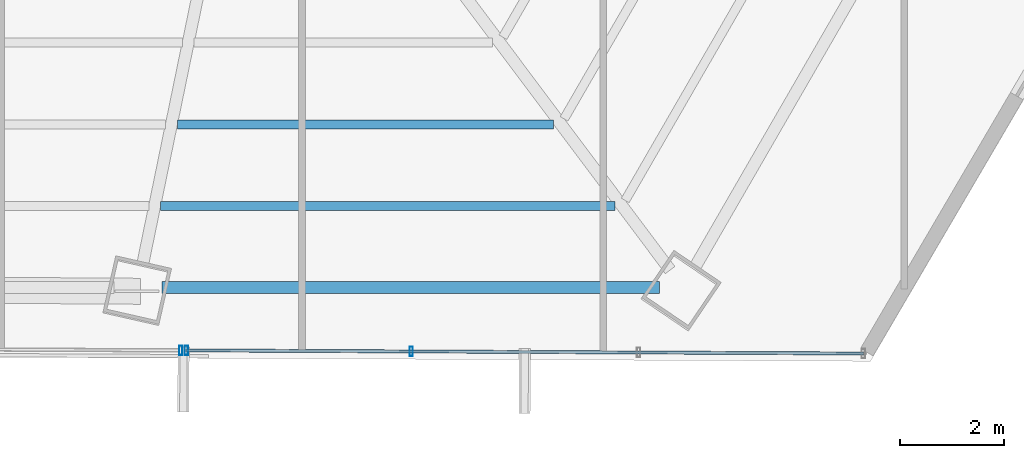
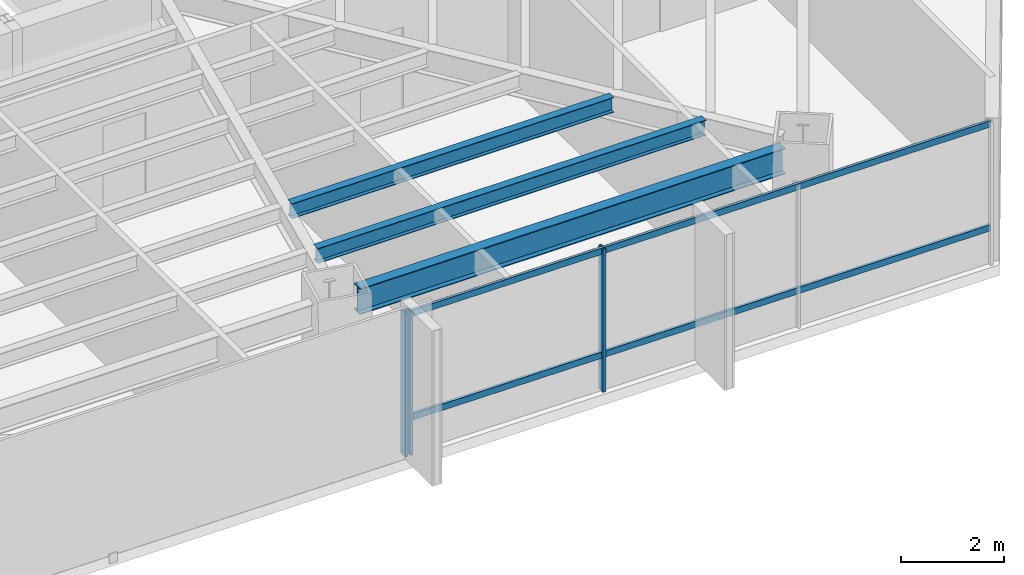
# One storey, part 15 of 37: 5 members, 3 beams, 2 elements without a shape of their own.
"""IFC4 building model written with IfcOpenShell, lengths in metres."""

from ifc_helpers import new_model, si_unit, direction, frame, origin, origin_2d, place, context, subcontext, project, spatial, hollow_rectangle, i_section, extrude, source, transform, mapped, material, material_profile, profile_set, type_object, type_shapes, element, aggregate, save


model = new_model("IFC4")

# Units and contexts
model_context = context("Model", 3, precision=1e-05, world=origin(), true_north=direction((0.0, 1.0)))
body_context = subcontext(model_context, "Body", "Model", "MODEL_VIEW")
ifc_project = project(units=[si_unit("LENGTHUNIT", "METRE"), si_unit("AREAUNIT", "SQUARE_METRE"), si_unit("VOLUMEUNIT", "CUBIC_METRE"), si_unit("PLANEANGLEUNIT", "RADIAN"), si_unit("MASSUNIT", "GRAM", prefix="KILO")], contexts=[model_context])

# Site, building, storey
site_placement = place(None, origin())
site = spatial("IfcSite", under=ifc_project, at=site_placement, CompositionType="ELEMENT")
building_placement = place(site_placement, origin())
building = spatial("IfcBuilding", under=site, at=building_placement, Name="Caelisora Broadcast Tower", CompositionType="ELEMENT")
storey_placement = place(building_placement, frame((0.0, 0.0, 105.39990234375)))
storey = spatial("IfcBuildingStorey", under=building, at=storey_placement, Name="L27", CompositionType="ELEMENT", Elevation=105.39990234375)

# Beams
ifc_material_1 = material(Name="Steel Grade 350 (AS/NZS 3679.1)", Category="steel")
ifc_material_profile_1 = material_profile(ifc_material_1, i_section(OverallWidth=0.22900390625, OverallDepth=0.611572265625, WebThickness=0.011962890625, FlangeThickness=0.01953125, at=origin_2d()), Name="Steel Grade 350 (AS/NZS 3679.1)")
ifc_profile_set_1 = profile_set([ifc_material_profile_1], Name="Steel Grade 350 (AS/NZS 3679.1)")
beam_type_1 = type_object("IfcBeamType", Name="PG03", PredefinedType="BEAM", material=ifc_profile_set_1)
shared_shape_1 = source(origin(), body_context, "Body", "SweptSolid", [
    extrude(i_section(OverallWidth=0.22900390625, OverallDepth=0.611572265625, WebThickness=0.011962890625, FlangeThickness=0.01953125, at=origin_2d()), origin(), (0.0, 0.0, 1.0), 9.566162109375),
])
type_shapes(beam_type_1, [shared_shape_1])
beam_1_placement = place(storey_placement, frame((43.703125, 6.413330078125, 3.09423828125), z_axis=(1.0, 0.0, 0.0), x_axis=(0.0, 1.0, 0.0)))
element("IfcBeam", 1, at=beam_1_placement, inside=storey, type_object=beam_type_1, Name="L27 beam PG03", PredefinedType="BEAM", context=body_context, shape_type="MappedRepresentation", body=[
    mapped(shared_shape_1, transform((0.0, 0.0, 0.0), scale=1.0)),
])
ifc_material_profile_2 = material_profile(ifc_material_1, i_section(OverallWidth=0.172119140625, OverallDepth=0.358642578125, WebThickness=0.008056640625, FlangeThickness=0.012939453125, at=origin_2d()), Name="Steel Grade 350 (AS/NZS 3679.1)")
ifc_profile_set_2 = profile_set([ifc_material_profile_2], Name="Steel Grade 350 (AS/NZS 3679.1)")
beam_type_2 = type_object("IfcBeamType", Name="SB02", PredefinedType="JOIST", material=ifc_profile_set_2)
shared_shape_2 = source(origin(), body_context, "Body", "SweptSolid", [
    extrude(i_section(OverallWidth=0.172119140625, OverallDepth=0.358642578125, WebThickness=0.008056640625, FlangeThickness=0.012939453125, at=origin_2d()), origin(), (0.0, 0.0, 1.0), 7.237548828125),
])
beam_2_placement = place(storey_placement, frame((44.001220703125, 9.552490234375, 3.220703125), z_axis=(1.0, 0.0, 0.0), x_axis=(0.0, 1.0, 0.0)))
element("IfcBeam", 2, at=beam_2_placement, inside=storey, type_object=beam_type_2, Name="L27 beam SB02", PredefinedType="JOIST", context=body_context, shape_type="MappedRepresentation", body=[
    mapped(shared_shape_2, transform((0.0, 0.0, 0.0), scale=1.0)),
])
shared_shape_3 = source(origin(), body_context, "Body", "SweptSolid", [
    extrude(i_section(OverallWidth=0.172119140625, OverallDepth=0.358642578125, WebThickness=0.008056640625, FlangeThickness=0.012939453125, at=origin_2d()), origin(), (0.0, 0.0, 1.0), 8.7353515625),
])
type_shapes(beam_type_2, [shared_shape_2, shared_shape_3])
beam_3_placement = place(storey_placement, frame((43.678955078125, 7.98291015625, 3.220703125), z_axis=(1.0, 0.0, 0.0), x_axis=(0.0, 1.0, 0.0)))
element("IfcBeam", 3, at=beam_3_placement, inside=storey, type_object=beam_type_2, Name="L27 beam SB02", PredefinedType="JOIST", context=body_context, shape_type="MappedRepresentation", body=[
    mapped(shared_shape_3, transform((0.0, 0.0, 0.0), scale=1.0)),
])

# Curtain wall, members
ifc_material_2 = material(Name="Unitised Aluminium and Low-E Glass Curtain Wall", Category="glass")
curtain_wall_type_1 = type_object("IfcCurtainWallType", Name="CW-Z2", PredefinedType="NOTDEFINED", material=ifc_material_2)
curtain_wall_1_placement = place(storey_placement, origin())
curtain_wall_1 = element("IfcCurtainWall", 4, at=curtain_wall_1_placement, inside=storey, type_object=curtain_wall_type_1, Name="L27 curtain wall CW-Z2", PredefinedType="NOTDEFINED")
ifc_material_3 = material(Name="Aluminium 6063-T6 Anodised Terracotta Bronze", Category="aluminium")
ifc_material_profile_3 = material_profile(ifc_material_3, hollow_rectangle(XDim=0.06494140625, YDim=0.179931640625, WallThickness=0.00341796875, at=origin_2d()), Name="Aluminium 6063-T6 Anodised Terracotta Bronze")
ifc_profile_set_3 = profile_set([ifc_material_profile_3], Name="Aluminium 6063-T6 Anodised Terracotta Bronze")
member_type_1 = type_object("IfcMemberType", Name="CWM-02", PredefinedType="MULLION", material=ifc_profile_set_3)
shared_shape_4 = source(origin(), body_context, "Body", "SweptSolid", [
    extrude(hollow_rectangle(XDim=0.06494140625, YDim=0.179931640625, WallThickness=0.00341796875, at=origin_2d()), origin(), (0.0, 0.0, 1.0), 3.400146484375),
])
type_shapes(member_type_1, [shared_shape_4])
member_1_placement = place(storey_placement, frame((48.499267578125, 5.18408203125, 0.0), z_axis=(0.0, 0.0, 1.0), x_axis=(1.0, 0.0, 0.0)))
member_1 = element("IfcMember", 5, at=member_1_placement, type_object=member_type_1, Name="L27-CW-B05 mullion #2", PredefinedType="MULLION", context=body_context, shape_type="MappedRepresentation", body=[
    mapped(shared_shape_4, transform((0.0, 0.0, 0.0), scale=1.0)),
])
member_2_placement = place(storey_placement, frame((44.176513671875, 5.2041015625, 0.0), z_axis=(0.0, 0.0, 1.0), x_axis=(1.0, 0.0, 0.0)))
member_2 = element("IfcMember", 6, at=member_2_placement, type_object=member_type_1, Name="L27-CW-B05 mullion #3", PredefinedType="MULLION", context=body_context, shape_type="MappedRepresentation", body=[
    mapped(shared_shape_4, transform((0.0, 0.0, 0.0), scale=1.0)),
])

# Curtain wall, member
ifc_material_4 = material(Name="Unitised Aluminium Insulated Shadow-Box Spandrel Curtain Wall", Category="aluminium")
curtain_wall_type_2 = type_object("IfcCurtainWallType", Name="CW-SP1", PredefinedType="NOTDEFINED", material=ifc_material_4)
curtain_wall_2_placement = place(storey_placement, origin())
curtain_wall_2 = element("IfcCurtainWall", 7, at=curtain_wall_2_placement, inside=storey, type_object=curtain_wall_type_2, Name="L27 curtain wall CW-SP1", PredefinedType="NOTDEFINED")
member_3_placement = place(storey_placement, frame((44.06640625, 5.20458984375, 0.0), z_axis=(0.0, 0.0, 1.0), x_axis=(1.0, 0.0, 0.0)))
member_3 = element("IfcMember", 8, at=member_3_placement, type_object=member_type_1, Name="L27-CW-B06 mullion #0", PredefinedType="MULLION", context=body_context, shape_type="MappedRepresentation", body=[
    mapped(shared_shape_4, transform((0.0, 0.0, 0.0), scale=1.0)),
])
aggregate(curtain_wall_2, [member_3])

# Member
ifc_material_profile_4 = material_profile(ifc_material_3, hollow_rectangle(XDim=0.06005859375, YDim=0.14990234375, WallThickness=0.00341796875, at=origin_2d()), Name="Aluminium 6063-T6 Anodised Terracotta Bronze")
ifc_profile_set_4 = profile_set([ifc_material_profile_4], Name="Aluminium 6063-T6 Anodised Terracotta Bronze")
member_type_2 = type_object("IfcMemberType", Name="CWT-02", PredefinedType="USERDEFINED", material=ifc_profile_set_4)
shared_shape_5 = source(origin(), body_context, "Body", "SweptSolid", [
    extrude(hollow_rectangle(XDim=0.06005859375, YDim=0.14990234375, WallThickness=0.00341796875, at=origin_2d()), origin(), (0.0, 0.0, 1.0), 13.018798828125),
])
type_shapes(member_type_2, [shared_shape_5])
member_4_placement = place(storey_placement, frame((57.195068359375, 5.144287109375, 0.85009765625), z_axis=(-0.999989445204, 0.004594505552, 0.0), x_axis=(-0.004594505552, -0.999989445204, 0.0)))
member_4 = element("IfcMember", 9, at=member_4_placement, type_object=member_type_2, Name="L27-CW-B05 transom #1", ObjectType="TRANSOM", PredefinedType="USERDEFINED", context=body_context, shape_type="MappedRepresentation", body=[
    mapped(shared_shape_5, transform((0.0, 0.0, 0.0), scale=1.0)),
])

member_5_placement = place(storey_placement, frame((57.195068359375, 5.144287109375, 3.320068359375), z_axis=(-0.999989445204, 0.004594505552, 0.0), x_axis=(-0.004594505552, -0.999989445204, 0.0)))
member_5 = element("IfcMember", 10, at=member_5_placement, type_object=member_type_2, Name="L27-CW-B05 transom #2", ObjectType="TRANSOM", PredefinedType="USERDEFINED", context=body_context, shape_type="MappedRepresentation", body=[
    mapped(shared_shape_5, transform((0.0, 0.0, 0.0), scale=1.0)),
])

aggregate(curtain_wall_1, [member_1, member_2, member_4, member_5])

save(model, "model.ifc")
